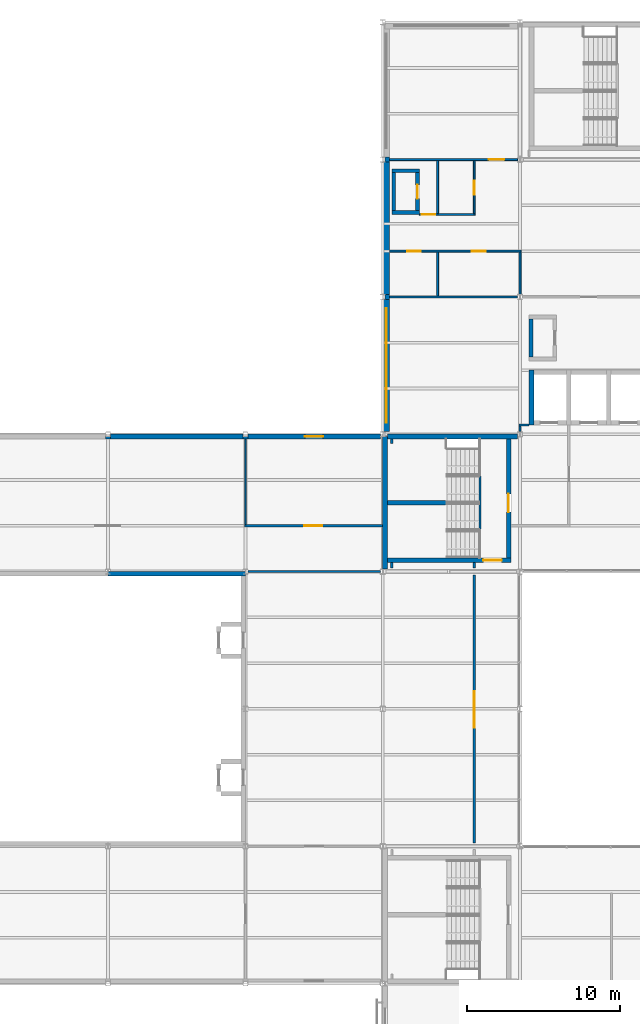
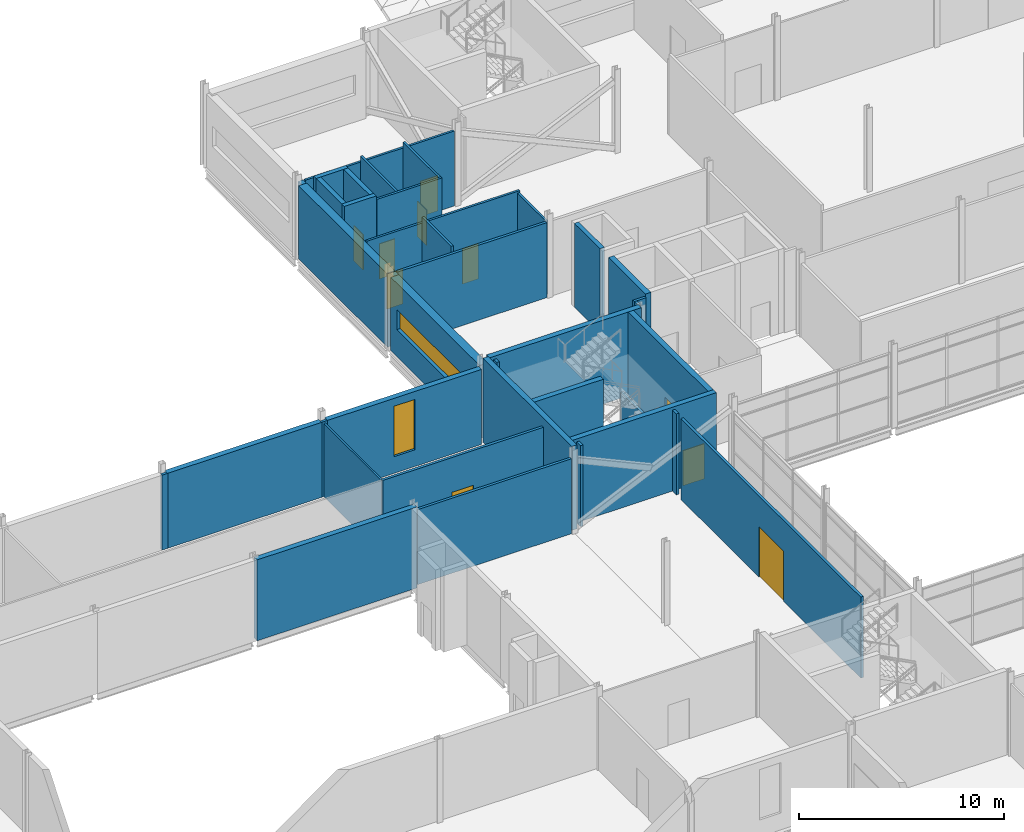
# One storey, part 83 of 112: 38 walls, 10 doors, 2 windows, 12 openings.
"""IFC4 building model written with IfcOpenShell, lengths in metres."""

import ifcopenshell
import ifcopenshell.guid

model = None  # the IFC model being written
_history = None  # IfcOwnerHistory: only IFC2X3 demands one
_inside = {}  # id of a spatial element -> (the spatial element, [elements in it])
_under = {}  # id of a project, library or spatial element -> (it, [spatial elements below it])
_declared = {}  # id of a project -> (the project, [libraries it declares])
_typed = {}  # id of a type object -> (the type object, [elements of that type])
_made_of = {}  # id of a material, layer set ... -> (it, [elements and type objects made of it])


def new_model(schema):
    """Start an empty IFC model of exactly this schema.

    Asked for "IFC4X3", IfcOpenShell would pick the latest addendum, in which some entities
    have other attributes; the version numbers below select the first issue.
    IFC2X3 requires an IfcOwnerHistory on every rooted entity: one is made here for all.
    """
    global model, _history
    if schema == "IFC4X3":
        model = ifcopenshell.file(schema_version=(4, 3, 0, 0))
    else:
        model = ifcopenshell.file(schema=schema)
    _inside.clear()
    _under.clear()
    _declared.clear()
    _typed.clear()
    _made_of.clear()
    _history = None
    if model.schema == "IFC2X3":
        org = make("IfcOrganization", Name="unknown")
        user = make(
            "IfcPersonAndOrganization",
            ThePerson=make("IfcPerson", FamilyName="unknown"),
            TheOrganization=org,
        )
        app = make(
            "IfcApplication",
            ApplicationDeveloper=org,
            Version="unknown",
            ApplicationFullName="unknown",
            ApplicationIdentifier="unknown",
        )
        _history = make(
            "IfcOwnerHistory",
            OwningUser=user,
            OwningApplication=app,
            ChangeAction="ADDED",
            CreationDate=0,
        )
    return model


def make(cls, **values):
    """One entity of the class cls with the attributes given. An attribute that is None is left unset."""
    return model.create_entity(
        cls, **{name: value for name, value in values.items() if value is not None}
    )


def rooted(cls, **values):
    """An entity with a GlobalId (a new one), such as an element, a storey or a relation."""
    return make(cls, GlobalId=ifcopenshell.guid.new(), OwnerHistory=_history, **values)


def si_unit(unit_type, name, prefix=None):
    """IfcSIUnit, for example si_unit("LENGTHUNIT", "METRE", prefix="MILLI")."""
    return make("IfcSIUnit", UnitType=unit_type, Prefix=prefix, Name=name)


def assignment(units):
    """IfcUnitAssignment: the units of a project."""
    return None if units is None else make("IfcUnitAssignment", Units=units)


def point(xyz):
    """IfcCartesianPoint."""
    return None if xyz is None else make("IfcCartesianPoint", Coordinates=xyz)


def direction(xyz):
    """IfcDirection."""
    return None if xyz is None else make("IfcDirection", DirectionRatios=xyz)


def frame(location, z_axis=None, x_axis=None):
    """IfcAxis2Placement3D, a coordinate frame: its origin and axes. An axis left out is left unset."""
    return make(
        "IfcAxis2Placement3D",
        Location=point(location),
        Axis=direction(z_axis),
        RefDirection=direction(x_axis),
    )


def frame_2d(location, x_axis=None):
    """IfcAxis2Placement2D, a coordinate frame in the plane: its origin and x axis."""
    return make(
        "IfcAxis2Placement2D", Location=point(location), RefDirection=direction(x_axis)
    )


def origin():
    """The frame at (0, 0, 0) with its axes left unset."""
    return frame((0.0, 0.0, 0.0))


def place(relative_to, where):
    """IfcLocalPlacement: puts the frame where relative to a parent placement (None: the world)."""
    return make(
        "IfcLocalPlacement", PlacementRelTo=relative_to, RelativePlacement=where
    )


def context(
    kind, dimensions, precision=None, world=None, true_north=None, identifier=None
):
    """IfcGeometricRepresentationContext, for example the 3D "Model" context."""
    return make(
        "IfcGeometricRepresentationContext",
        ContextIdentifier=identifier,
        ContextType=kind,
        CoordinateSpaceDimension=dimensions,
        Precision=precision,
        WorldCoordinateSystem=world,
        TrueNorth=true_north,
    )


def subcontext(parent, identifier, kind, view, scale=None):
    """IfcGeometricRepresentationSubContext, for example "Body" below "Model"."""
    return make(
        "IfcGeometricRepresentationSubContext",
        ContextIdentifier=identifier,
        ContextType=kind,
        ParentContext=parent,
        TargetScale=scale,
        TargetView=view,
    )


def project(units=None, contexts=None):
    """IfcProject with its units and contexts."""
    return rooted(
        "IfcProject",
        Name="project",
        RepresentationContexts=contexts,
        UnitsInContext=assignment(units),
    )


def spatial(cls, under=None, at=None, **own):
    """A site, building, storey or space (cls), placed at a placement, below another one or the project."""
    s = rooted(cls, ObjectPlacement=at, **own)
    if under is not None:
        _under.setdefault(under.id(), (under, []))[1].append(s)
    return s


def profile(cls, at=None, kind="AREA", **sizes):
    """A parametric profile (cls). Its sizes go by their IFC names, for example OverallWidth=200.0."""
    return make(cls, ProfileType=kind, Position=at, **sizes)


def rectangle(**sizes):
    """IfcRectangleProfileDef."""
    return profile("IfcRectangleProfileDef", **sizes)


def extrude(swept, where, along, depth):
    """IfcExtrudedAreaSolid: the profile swept, set in the frame where, extruded along a direction by depth."""
    return make(
        "IfcExtrudedAreaSolid",
        SweptArea=swept,
        Position=where,
        ExtrudedDirection=direction(along),
        Depth=depth,
    )


def shape(context_of_items, identifier, shape_type, items):
    """IfcShapeRepresentation: the items that make up one representation, for example the "Body"."""
    return make(
        "IfcShapeRepresentation",
        ContextOfItems=context_of_items,
        RepresentationIdentifier=identifier,
        RepresentationType=shape_type,
        Items=items,
    )


def material(Name=None, Category=None):
    """IfcMaterial."""
    return make("IfcMaterial", Name=Name, Category=Category)


def layer(
    of_material, thickness, ventilated=None, Name=None, Category=None, Priority=None
):
    """IfcMaterialLayer: one layer of a wall or slab, of a material (None: an air gap)."""
    return make(
        "IfcMaterialLayer",
        Material=of_material,
        LayerThickness=thickness,
        IsVentilated=ventilated,
        Name=Name,
        Category=Category,
        Priority=Priority,
    )


def layer_set(layers, Name=None):
    """IfcMaterialLayerSet."""
    return make("IfcMaterialLayerSet", MaterialLayers=layers, LayerSetName=Name)


def made_of(thing, what):
    """Note that an element or type object is made of a material, layer set ...; save() writes the relation."""
    if what is not None:
        _made_of.setdefault(what.id(), (what, []))[1].append(thing)
    return thing


def type_object(cls, material=None, **own):
    """A type object (cls), such as IfcWallType, which elements share."""
    return made_of(rooted(cls, **own), material)


def element(
    cls,
    number,
    at=None,
    inside=None,
    cuts=None,
    type_object=None,
    material=None,
    context=None,
    identifier="Body",
    shape_type=None,
    held_by="IfcProductDefinitionShape",
    body=None,
    shapes=None,
    **own,
):
    """One element of the class cls, such as IfcWall. Its Tag is "e" and its number.

    at: its placement. inside: the storey or other place that contains it. cuts: it is an
    opening in that element (IfcRelVoidsElement). A single representation is given by context,
    identifier, shape_type and body (its items); several are given by shapes. held_by: the class
    of the entity that holds the representations. save() writes the other relations.
    """
    e = rooted(cls, Tag="e%d" % number, ObjectPlacement=at, **own)
    if body is not None:
        shapes = [shape(context, identifier, shape_type, body)]
    if shapes is not None:
        e.Representation = make(held_by, Representations=shapes)
    if inside is not None:
        _inside.setdefault(inside.id(), (inside, []))[1].append(e)
    if cuts is not None:
        rooted(
            "IfcRelVoidsElement", RelatingBuildingElement=cuts, RelatedOpeningElement=e
        )
    if type_object is not None:
        _typed.setdefault(type_object.id(), (type_object, []))[1].append(e)
    return made_of(e, material)


def fill(opening, filler):
    """IfcRelFillsElement: the door or window that sits in an opening."""
    return rooted(
        "IfcRelFillsElement",
        RelatingOpeningElement=opening,
        RelatedBuildingElement=filler,
    )


def aggregate(whole, parts):
    """IfcRelAggregates: a whole, such as a stair, and the parts it consists of."""
    return rooted("IfcRelAggregates", RelatingObject=whole, RelatedObjects=parts)


def save(model, path):
    """Write the relations noted so far, then the file.

    IfcRelAggregates (storeys below a building ...), IfcRelContainedInSpatialStructure (elements
    in a storey), IfcRelDefinesByType, IfcRelAssociatesMaterial and IfcRelDeclares: one each for
    every whole, place, type object, material and project.
    """
    for whole, parts in _under.values():
        aggregate(whole, parts)
    for where, things in _inside.values():
        rooted(
            "IfcRelContainedInSpatialStructure",
            RelatedElements=things,
            RelatingStructure=where,
        )
    for kind, things in _typed.values():
        rooted("IfcRelDefinesByType", RelatedObjects=things, RelatingType=kind)
    for what, things in _made_of.values():
        rooted("IfcRelAssociatesMaterial", RelatedObjects=things, RelatingMaterial=what)
    for by, libraries in _declared.values():
        rooted("IfcRelDeclares", RelatingContext=by, RelatedDefinitions=libraries)
    model.write(path)


model = new_model("IFC4")

# Units and contexts
model_context = context("Model", 3, precision=1e-05, world=origin(), true_north=direction((0.0, 1.0)))
body_context = subcontext(model_context, "Body", "Model", "MODEL_VIEW")
ifc_project = project(units=[si_unit("LENGTHUNIT", "METRE"), si_unit("AREAUNIT", "SQUARE_METRE"), si_unit("VOLUMEUNIT", "CUBIC_METRE"), si_unit("PLANEANGLEUNIT", "RADIAN"), si_unit("MASSUNIT", "GRAM", prefix="KILO")], contexts=[model_context])

# Site, building, storey
site_placement = place(None, origin())
site = spatial("IfcSite", under=ifc_project, at=site_placement, CompositionType="ELEMENT")
building_placement = place(site_placement, origin())
building = spatial("IfcBuilding", under=site, at=building_placement, Name="Shorebreak Coast Museum", CompositionType="ELEMENT")
storey_placement = place(building_placement, frame((0.0, 0.0, 6.0)))
storey = spatial("IfcBuildingStorey", under=building, at=storey_placement, Name="L01", CompositionType="ELEMENT", Elevation=6.0)

# Walls
ifc_material_1 = material(Name="Concrete N50 (50 MPa)", Category="concrete")
ifc_layer_1 = layer(ifc_material_1, 0.14990234375)
ifc_layer_set_1 = layer_set([ifc_layer_1], Name="Concrete N50 (50 MPa)")
wall_type_1 = type_object("IfcWallType", Name="Column closure panel 150", PredefinedType="SOLIDWALL", material=ifc_layer_set_1)
for number, where, z_axis, x_axis, name in (
    (1, (35.839111328125, 89.77490234375, 0.0), (0.0, 0.0, 1.0), (1.0, 0.0, 0.0), "Column closure panel L01 N 5L"),
    (2, (44.839111328125, 89.77490234375, 0.0), (0.0, 0.0, 1.0), (1.0, 0.0, 0.0), "Column closure panel L01 N 6L"),
):
    element("IfcWall", number, at=place(storey_placement, frame(where, z_axis=z_axis, x_axis=x_axis)), inside=storey, type_object=wall_type_1, Name=name, PredefinedType="SOLIDWALL", context=body_context, shape_type="SweptSolid", body=[
        extrude(rectangle(XDim=0.32177734375, YDim=0.14990234375, at=frame_2d((0.160888671875, 0.0))), origin(), (0.0, 0.0, 1.0), 4.469482421875),
    ])
ifc_material_2 = material(Name="Concrete N50 (50 MPa)", Category="concrete")
ifc_layer_2 = layer(ifc_material_2, 0.29541015625)
ifc_layer_set_2 = layer_set([ifc_layer_2], Name="Concrete N50 (50 MPa)")
wall_type_2 = type_object("IfcWallType", Name="Column closure panel 296", PredefinedType="SOLIDWALL", material=ifc_layer_set_2)
for number, where, z_axis, x_axis, name in (
    (3, (54.30224609375, 98.839111328125, 0.0), (0.0, 0.0, 1.0), (0.0, 1.0, 0.0), "Column closure panel L01 W 7M"),
    (4, (54.30224609375, 107.839111328125, 0.0), (0.0, 0.0, 1.0), (0.0, 1.0, 0.0), "Column closure panel L01 W 7N"),
):
    element("IfcWall", number, at=place(storey_placement, frame(where, z_axis=z_axis, x_axis=x_axis)), inside=storey, type_object=wall_type_2, Name=name, PredefinedType="SOLIDWALL", context=body_context, shape_type="SweptSolid", body=[
        extrude(rectangle(XDim=0.32177734375, YDim=0.29541015625, at=frame_2d((0.160888671875, 0.0))), origin(), (0.0, 0.0, 1.0), 4.364501953125),
    ])

# Wall, opening, window
ifc_material_3 = material(Name="Concrete N50 (50 MPa)", Category="concrete")
ifc_layer_3 = layer(ifc_material_3, 0.449951171875)
ifc_layer_set_3 = layer_set([ifc_layer_3], Name="Concrete N50 (50 MPa)")
wall_type_3 = type_object("IfcWallType", Name="Deep-set precast panel 450", PredefinedType="SOLIDWALL", material=ifc_layer_set_3)
wall_1_placement = place(storey_placement, frame((54.22509765625, 90.16357421875, 0.0), z_axis=(0.0, 0.0, 1.0), x_axis=(0.0, 1.0, 0.0)))
wall_1 = element("IfcWall", 5, at=wall_1_placement, inside=storey, type_object=wall_type_3, Name="External wall L01 W 7L", PredefinedType="SOLIDWALL", context=body_context, shape_type="SweptSolid", body=[
    extrude(rectangle(XDim=8.675537109375, YDim=0.449951171875, at=frame_2d((4.337890625, 0.0))), origin(), (0.0, 0.0, 1.0), 4.364501953125),
])
opening_1_placement = place(wall_1_placement, frame((0.58642578125, 0.0, 1.60009765625)))
opening_1 = element("IfcOpeningElement", 6, at=opening_1_placement, cuts=wall_1, Name="Opening WN1054", PredefinedType="OPENING", context=body_context, shape_type="SweptSolid", body=[
    extrude(rectangle(XDim=7.5, YDim=1.199951171875, at=frame_2d((3.75, 0.60009765625))), frame((0.0, 0.23486328125, 0.0), z_axis=(0.0, -1.0, 0.0), x_axis=(1.0, 0.0, 0.0)), (0.0, 0.0, 1.0), 0.469970703125),
])
ifc_material_4 = material(Name="Aluminium", Category="aluminium")
window_type_1 = type_object("IfcWindowType", Name="Ribbon window 7500 x 1200", PartitioningType="SINGLE_PANEL", PredefinedType="WINDOW", material=ifc_material_4)
window_1_placement = place(opening_1_placement, origin())
window_1 = element("IfcWindow", 7, at=window_1_placement, inside=storey, type_object=window_type_1, Name="Window WN1054", OverallHeight=1.199951171875, OverallWidth=7.5, PartitioningType="SINGLE_PANEL", PredefinedType="WINDOW", context=body_context, shape_type="SweptSolid", body=[
    extrude(rectangle(XDim=7.5, YDim=1.199951171875, at=frame_2d((3.75, 0.60009765625))), frame((0.0, 0.030029296875, 0.0), z_axis=(0.0, -1.0, 0.0), x_axis=(1.0, 0.0, 0.0)), (0.0, 0.0, 1.0), 0.06005859375),
])
fill(opening_1, window_1)

# Walls
wall_2_placement = place(storey_placement, frame((54.22509765625, 99.160888671875, 0.0), z_axis=(0.0, 0.0, 1.0), x_axis=(0.0, 1.0, 0.0)))
element("IfcWall", 8, at=wall_2_placement, inside=storey, type_object=wall_type_3, Name="External wall L01 W 7M", PredefinedType="SOLIDWALL", context=body_context, shape_type="SweptSolid", body=[
    extrude(rectangle(XDim=8.67822265625, YDim=0.449951171875, at=frame_2d((4.339111328125, 0.0))), origin(), (0.0, 0.0, 1.0), 4.364501953125),
])
ifc_material_5 = material(Name="Plasterboard on steel stud", Category="steel")
ifc_layer_4 = layer(ifc_material_5, 0.14990234375)
ifc_layer_set_4 = layer_set([ifc_layer_4], Name="Plasterboard on steel stud")
wall_type_4 = type_object("IfcWallType", Name="Fire partition 150", PredefinedType="PARTITIONING", material=ifc_layer_set_4)
wall_3_placement = place(storey_placement, frame((45.155517578125, 81.0, 0.0), z_axis=(0.0, 0.0, 1.0), x_axis=(1.0, 0.0, 0.0)))
element("IfcWall", 9, at=wall_3_placement, inside=storey, type_object=wall_type_4, Name="Partition L01-051", PredefinedType="PARTITIONING", context=body_context, shape_type="SweptSolid", body=[
    extrude(rectangle(XDim=8.68994140625, YDim=0.14990234375, at=frame_2d((4.344970703125, 0.0))), origin(), (0.0, 0.0, 1.0), 4.469482421875),
])

# Wall, opening, door
wall_4_placement = place(storey_placement, frame((44.949951171875, 84.0, 0.0), z_axis=(0.0, 0.0, 1.0), x_axis=(1.0, 0.0, 0.0)))
wall_4 = element("IfcWall", 10, at=wall_4_placement, inside=storey, type_object=wall_type_4, Name="Partition L01-058", PredefinedType="PARTITIONING", context=body_context, shape_type="SweptSolid", body=[
    extrude(rectangle(XDim=9.050048828125, YDim=0.14990234375, at=frame_2d((4.52490234375, 0.0))), origin(), (0.0, 0.0, 1.0), 4.469482421875),
])
opening_2_placement = place(wall_4_placement, frame((3.89990234375, 0.0, 0.0)))
opening_2 = element("IfcOpeningElement", 11, at=opening_2_placement, cuts=wall_4, Name="Opening D1052", PredefinedType="OPENING", context=body_context, shape_type="SweptSolid", body=[
    extrude(rectangle(XDim=1.199951171875, YDim=2.39990234375, at=frame_2d((0.60009765625, 1.199951171875))), frame((0.0, 0.0849609375, 0.0), z_axis=(0.0, -1.0, 0.0), x_axis=(1.0, 0.0, 0.0)), (0.0, 0.0, 1.0), 0.169921875),
])
ifc_material_6 = material(Name="Steel", Category="steel")
door_type_1 = type_object("IfcDoorType", Name="Fire door 1200x2400 60", OperationType="SINGLE_SWING_LEFT", PredefinedType="DOOR", material=ifc_material_6)
door_1_placement = place(opening_2_placement, origin())
door_1 = element("IfcDoor", 12, at=door_1_placement, inside=storey, type_object=door_type_1, Name="Door D1052 Photography Gallery 1.02", OperationType="SINGLE_SWING_RIGHT", OverallHeight=2.39990234375, OverallWidth=1.199951171875, PredefinedType="DOOR", context=body_context, shape_type="SweptSolid", body=[
    extrude(rectangle(XDim=1.199951171875, YDim=2.39990234375, at=frame_2d((0.60009765625, 1.199951171875))), frame((0.0, 0.02490234375, 0.0), z_axis=(0.0, -1.0, 0.0), x_axis=(1.0, 0.0, 0.0)), (0.0, 0.0, 1.0), 0.050048828125),
])
fill(opening_2, door_1)

# Walls
wall_5_placement = place(storey_placement, frame((62.925048828125, 90.60009765625, 0.0), z_axis=(0.0, 0.0, 1.0), x_axis=(1.0, 0.0, 0.0)))
element("IfcWall", 13, at=wall_5_placement, inside=storey, type_object=wall_type_4, Name="Partition L01-065", PredefinedType="PARTITIONING", context=body_context, shape_type="SweptSolid", body=[
    extrude(rectangle(XDim=0.675048828125, YDim=0.14990234375, at=frame_2d((0.33740234375, 0.0))), origin(), (0.0, 0.0, 1.0), 4.824951171875),
])
wall_6_placement = place(storey_placement, frame((54.449951171875, 99.0, 0.0), z_axis=(0.0, 0.0, 1.0), x_axis=(1.0, 0.0, 0.0)))
element("IfcWall", 14, at=wall_6_placement, inside=storey, type_object=wall_type_4, Name="Partition L01-070", PredefinedType="PARTITIONING", context=body_context, shape_type="SweptSolid", body=[
    extrude(rectangle(XDim=8.3955078125, YDim=0.14990234375, at=frame_2d((4.19775390625, 0.0))), origin(), (0.0, 0.0, 1.0), 4.46630859375),
])
wall_7_placement = place(storey_placement, frame((54.60009765625, 81.219970703125, 0.0), z_axis=(0.0, 0.0, 1.0), x_axis=(0.0, 1.0, 0.0)))
element("IfcWall", 15, at=wall_7_placement, inside=storey, type_object=wall_type_4, Name="Partition L01-103", PredefinedType="PARTITIONING", context=body_context, shape_type="SweptSolid", body=[
    extrude(rectangle(XDim=0.380126953125, YDim=0.14990234375, at=frame_2d((0.18994140625, 0.0))), origin(), (0.0, 0.0, 1.0), 4.824951171875),
])
wall_8_placement = place(storey_placement, frame((54.60009765625, 89.39990234375, 0.0), z_axis=(0.0, 0.0, 1.0), x_axis=(0.0, 1.0, 0.0)))
element("IfcWall", 16, at=wall_8_placement, inside=storey, type_object=wall_type_4, Name="Partition L01-104", PredefinedType="PARTITIONING", context=body_context, shape_type="SweptSolid", body=[
    extrude(rectangle(XDim=0.300048828125, YDim=0.14990234375, at=frame_2d((0.14990234375, 0.0))), origin(), (0.0, 0.0, 1.0), 4.824951171875),
])

# Wall, opening, door
wall_9_placement = place(storey_placement, frame((60.0, 63.219970703125, 0.0), z_axis=(0.0, 0.0, 1.0), x_axis=(0.0, 1.0, 0.0)))
wall_9 = element("IfcWall", 17, at=wall_9_placement, inside=storey, type_object=wall_type_4, Name="Partition L01-108", PredefinedType="PARTITIONING", context=body_context, shape_type="SweptSolid", body=[
    extrude(rectangle(XDim=17.56005859375, YDim=0.14990234375, at=frame_2d((8.780029296875, 0.0))), origin(), (0.0, 0.0, 1.0), 4.824951171875),
])
opening_3_placement = place(wall_9_placement, frame((7.550048828125, 0.0, 0.0)))
opening_3 = element("IfcOpeningElement", 18, at=opening_3_placement, cuts=wall_9, Name="Opening D1049", PredefinedType="OPENING", context=body_context, shape_type="SweptSolid", body=[
    extrude(rectangle(XDim=2.39990234375, YDim=3.0, at=frame_2d((1.199951171875, 1.5))), frame((0.0, 0.0849609375, 0.0), z_axis=(0.0, -1.0, 0.0), x_axis=(1.0, 0.0, 0.0)), (0.0, 0.0, 1.0), 0.169921875),
])
ifc_material_7 = material(Name="Steel", Category="steel")
door_type_2 = type_object("IfcDoorType", Name="Fire door 2400x3000 60", OperationType="DOUBLE_DOOR_SINGLE_SWING", PredefinedType="DOOR", material=ifc_material_7)
door_2_placement = place(opening_3_placement, origin())
door_2 = element("IfcDoor", 19, at=door_2_placement, inside=storey, type_object=door_type_2, Name="Door D1049 Permanent Gallery 1.02", OperationType="DOUBLE_DOOR_SINGLE_SWING", OverallHeight=3.0, OverallWidth=2.39990234375, PredefinedType="DOOR", context=body_context, shape_type="SweptSolid", body=[
    extrude(rectangle(XDim=2.39990234375, YDim=3.0, at=frame_2d((1.199951171875, 1.5))), frame((0.0, 0.02490234375, 0.0), z_axis=(0.0, -1.0, 0.0), x_axis=(1.0, 0.0, 0.0)), (0.0, 0.0, 1.0), 0.050048828125),
])
fill(opening_3, door_2)

# Walls
wall_10_placement = place(storey_placement, frame((60.0, 81.219970703125, 0.0), z_axis=(0.0, 0.0, 1.0), x_axis=(0.0, 1.0, 0.0)))
element("IfcWall", 20, at=wall_10_placement, inside=storey, type_object=wall_type_4, Name="Partition L01-109", PredefinedType="PARTITIONING", context=body_context, shape_type="SweptSolid", body=[
    extrude(rectangle(XDim=0.380126953125, YDim=0.14990234375, at=frame_2d((0.18994140625, 0.0))), origin(), (0.0, 0.0, 1.0), 4.824951171875),
])
wall_11_placement = place(storey_placement, frame((63.0, 90.16357421875, 0.0), z_axis=(0.0, 0.0, 1.0), x_axis=(0.0, 1.0, 0.0)))
element("IfcWall", 21, at=wall_11_placement, inside=storey, type_object=wall_type_4, Name="Partition L01-116", PredefinedType="PARTITIONING", context=body_context, shape_type="SweptSolid", body=[
    extrude(rectangle(XDim=0.361328125, YDim=0.14990234375, at=frame_2d((0.1806640625, 0.0))), origin(), (0.0, 0.0, 1.0), 4.824951171875),
])
ifc_material_8 = material(Name="Plasterboard on steel stud", Category="steel")
ifc_layer_5 = layer(ifc_material_8, 0.10009765625)
ifc_layer_set_5 = layer_set([ifc_layer_5], Name="Plasterboard on steel stud")
wall_type_5 = type_object("IfcWallType", Name="Partition 100", PredefinedType="PARTITIONING", material=ifc_layer_set_5)
wall_12_placement = place(storey_placement, frame((45.0, 84.074951171875, 0.0), z_axis=(0.0, 0.0, 1.0), x_axis=(0.0, 1.0, 0.0)))
element("IfcWall", 22, at=wall_12_placement, inside=storey, type_object=wall_type_5, Name="Partition L01-097", PredefinedType="PARTITIONING", context=body_context, shape_type="SweptSolid", body=[
    extrude(rectangle(XDim=5.625, YDim=0.10009765625, at=frame_2d((2.8125, 0.0))), origin(), (0.0, 0.0, 1.0), 4.364501953125),
])

# Wall, openings, doors
ifc_material_9 = material(Name="Plasterboard on steel stud", Category="steel")
ifc_layer_6 = layer(ifc_material_9, 0.125)
ifc_layer_set_6 = layer_set([ifc_layer_6], Name="Plasterboard on steel stud")
wall_type_6 = type_object("IfcWallType", Name="Partition 125", PredefinedType="PARTITIONING", material=ifc_layer_set_6)
wall_13_placement = place(storey_placement, frame((54.449951171875, 102.0, 0.0), z_axis=(0.0, 0.0, 1.0), x_axis=(1.0, 0.0, 0.0)))
wall_13 = element("IfcWall", 23, at=wall_13_placement, inside=storey, type_object=wall_type_6, Name="Partition L01-074", PredefinedType="PARTITIONING", context=body_context, shape_type="SweptSolid", body=[
    extrude(rectangle(XDim=8.612548828125, YDim=0.125, at=frame_2d((4.30615234375, 0.0))), origin(), (0.0, 0.0, 1.0), 4.472900390625),
])
opening_4_placement = place(wall_13_placement, frame((1.14990234375, 0.0, 0.0)))
opening_4 = element("IfcOpeningElement", 24, at=opening_4_placement, cuts=wall_13, Name="Opening D1009", PredefinedType="OPENING", context=body_context, shape_type="SweptSolid", body=[
    extrude(rectangle(XDim=0.89990234375, YDim=2.10009765625, at=frame_2d((0.449951171875, 1.050048828125))), frame((0.0, 0.072509765625, 0.0), z_axis=(0.0, -1.0, 0.0), x_axis=(1.0, 0.0, 0.0)), (0.0, 0.0, 1.0), 0.14501953125),
])
opening_5_placement = place(wall_13_placement, frame((5.39990234375, 0.0, 0.0)))
opening_5 = element("IfcOpeningElement", 25, at=opening_5_placement, cuts=wall_13, Name="Opening D1010", PredefinedType="OPENING", context=body_context, shape_type="SweptSolid", body=[
    extrude(rectangle(XDim=0.89990234375, YDim=2.10009765625, at=frame_2d((0.449951171875, 1.050048828125))), frame((0.0, 0.072509765625, 0.0), z_axis=(0.0, -1.0, 0.0), x_axis=(1.0, 0.0, 0.0)), (0.0, 0.0, 1.0), 0.14501953125),
])
ifc_material_10 = material(Name="Timber", Category="wood")
door_type_3 = type_object("IfcDoorType", Name="Interior door 900x2100", OperationType="SINGLE_SWING_LEFT", PredefinedType="DOOR", material=ifc_material_10)
door_3_placement = place(opening_4_placement, origin())
door_3 = element("IfcDoor", 26, at=door_3_placement, inside=storey, type_object=door_type_3, Name="Door D1009 Accessible WC N1", OperationType="SINGLE_SWING_RIGHT", OverallHeight=2.10009765625, OverallWidth=0.89990234375, PredefinedType="DOOR", context=body_context, shape_type="SweptSolid", body=[
    extrude(rectangle(XDim=0.89990234375, YDim=2.10009765625, at=frame_2d((0.449951171875, 1.050048828125))), frame((0.0, 0.02490234375, 0.0), z_axis=(0.0, -1.0, 0.0), x_axis=(1.0, 0.0, 0.0)), (0.0, 0.0, 1.0), 0.050048828125),
])
fill(opening_4, door_3)
door_4_placement = place(opening_5_placement, origin())
door_4 = element("IfcDoor", 27, at=door_4_placement, inside=storey, type_object=door_type_3, Name="Door D1010 Male WC N1", OperationType="SINGLE_SWING_RIGHT", OverallHeight=2.10009765625, OverallWidth=0.89990234375, PredefinedType="DOOR", context=body_context, shape_type="SweptSolid", body=[
    extrude(rectangle(XDim=0.89990234375, YDim=2.10009765625, at=frame_2d((0.449951171875, 1.050048828125))), frame((0.0, 0.02490234375, 0.0), z_axis=(0.0, -1.0, 0.0), x_axis=(1.0, 0.0, 0.0)), (0.0, 0.0, 1.0), 0.050048828125),
])
fill(opening_5, door_4)

# Wall, opening, door
wall_14_placement = place(storey_placement, frame((56.39990234375, 104.39990234375, 0.0), z_axis=(0.0, 0.0, 1.0), x_axis=(1.0, 0.0, 0.0)))
wall_14 = element("IfcWall", 28, at=wall_14_placement, inside=storey, type_object=wall_type_6, Name="Partition L01-076", PredefinedType="PARTITIONING", context=body_context, shape_type="SweptSolid", body=[
    extrude(rectangle(XDim=3.66259765625, YDim=0.125, at=frame_2d((1.831298828125, 0.0))), origin(), (0.0, 0.0, 1.0), 4.824951171875),
])
opening_6_placement = place(wall_14_placement, frame((0.14990234375, 0.0, 0.0)))
opening_6 = element("IfcOpeningElement", 29, at=opening_6_placement, cuts=wall_14, Name="Opening D1007", PredefinedType="OPENING", context=body_context, shape_type="SweptSolid", body=[
    extrude(rectangle(XDim=0.89990234375, YDim=2.10009765625, at=frame_2d((0.449951171875, 1.050048828125))), frame((0.0, 0.072509765625, 0.0), z_axis=(0.0, -1.0, 0.0), x_axis=(1.0, 0.0, 0.0)), (0.0, 0.0, 1.0), 0.14501953125),
])
door_5_placement = place(opening_6_placement, origin())
door_5 = element("IfcDoor", 30, at=door_5_placement, inside=storey, type_object=door_type_3, Name="Door D1007 Cleaner Store N1", OperationType="SINGLE_SWING_LEFT", OverallHeight=2.10009765625, OverallWidth=0.89990234375, PredefinedType="DOOR", context=body_context, shape_type="SweptSolid", body=[
    extrude(rectangle(XDim=0.89990234375, YDim=2.10009765625, at=frame_2d((0.449951171875, 1.050048828125))), frame((0.0, 0.02490234375, 0.0), z_axis=(0.0, -1.0, 0.0), x_axis=(1.0, 0.0, 0.0)), (0.0, 0.0, 1.0), 0.050048828125),
])
fill(opening_6, door_5)

wall_15_placement = place(storey_placement, frame((54.449951171875, 108.0, 0.0), z_axis=(0.0, 0.0, 1.0), x_axis=(1.0, 0.0, 0.0)))
wall_15 = element("IfcWall", 31, at=wall_15_placement, inside=storey, type_object=wall_type_6, Name="Partition L01-078", PredefinedType="PARTITIONING", context=body_context, shape_type="SweptSolid", body=[
    extrude(rectangle(XDim=8.3955078125, YDim=0.125, at=frame_2d((4.19775390625, 0.0))), origin(), (0.0, 0.0, 1.0), 4.46630859375),
])
opening_7_placement = place(wall_15_placement, frame((6.5, 0.0, 0.0)))
opening_7 = element("IfcOpeningElement", 32, at=opening_7_placement, cuts=wall_15, Name="Opening D1015", PredefinedType="OPENING", context=body_context, shape_type="SweptSolid", body=[
    extrude(rectangle(XDim=1.0, YDim=2.10009765625, at=frame_2d((0.5, 1.050048828125))), frame((0.0, 0.072509765625, 0.0), z_axis=(0.0, -1.0, 0.0), x_axis=(1.0, 0.0, 0.0)), (0.0, 0.0, 1.0), 0.14501953125),
])
ifc_material_11 = material(Name="Timber", Category="wood")
door_type_4 = type_object("IfcDoorType", Name="Interior door 1000x2100", OperationType="SINGLE_SWING_LEFT", PredefinedType="DOOR", material=ifc_material_11)
door_6_placement = place(opening_7_placement, origin())
door_6 = element("IfcDoor", 33, at=door_6_placement, inside=storey, type_object=door_type_4, Name="Door D1015 Services Store 1.01", OperationType="SINGLE_SWING_LEFT", OverallHeight=2.10009765625, OverallWidth=1.0, PredefinedType="DOOR", context=body_context, shape_type="SweptSolid", body=[
    extrude(rectangle(XDim=1.0, YDim=2.10009765625, at=frame_2d((0.5, 1.050048828125))), frame((0.0, 0.02490234375, 0.0), z_axis=(0.0, -1.0, 0.0), x_axis=(1.0, 0.0, 0.0)), (0.0, 0.0, 1.0), 0.050048828125),
])
fill(opening_7, door_6)

# Walls
wall_16_placement = place(storey_placement, frame((57.60009765625, 99.074951171875, 0.0), z_axis=(0.0, 0.0, 1.0), x_axis=(0.0, 1.0, 0.0)))
element("IfcWall", 34, at=wall_16_placement, inside=storey, type_object=wall_type_6, Name="Partition L01-105", PredefinedType="PARTITIONING", context=body_context, shape_type="SweptSolid", body=[
    extrude(rectangle(XDim=2.862548828125, YDim=0.125, at=frame_2d((1.43115234375, 0.0))), origin(), (0.0, 0.0, 1.0), 4.824951171875),
])
wall_17_placement = place(storey_placement, frame((57.60009765625, 104.46240234375, 0.0), z_axis=(0.0, 0.0, 1.0), x_axis=(0.0, 1.0, 0.0)))
element("IfcWall", 35, at=wall_17_placement, inside=storey, type_object=wall_type_6, Name="Partition L01-106", PredefinedType="PARTITIONING", context=body_context, shape_type="SweptSolid", body=[
    extrude(rectangle(XDim=3.47509765625, YDim=0.125, at=frame_2d((1.737548828125, 0.0))), origin(), (0.0, 0.0, 1.0), 4.824951171875),
])

# Wall, opening, door
wall_18_placement = place(storey_placement, frame((60.0, 104.46240234375, 0.0), z_axis=(0.0, 0.0, 1.0), x_axis=(0.0, 1.0, 0.0)))
wall_18 = element("IfcWall", 36, at=wall_18_placement, inside=storey, type_object=wall_type_6, Name="Partition L01-110", PredefinedType="PARTITIONING", context=body_context, shape_type="SweptSolid", body=[
    extrude(rectangle(XDim=3.47509765625, YDim=0.125, at=frame_2d((1.737548828125, 0.0))), origin(), (0.0, 0.0, 1.0), 4.824951171875),
])
opening_8_placement = place(wall_18_placement, frame((1.25, 0.0, 0.0)))
opening_8 = element("IfcOpeningElement", 37, at=opening_8_placement, cuts=wall_18, Name="Opening D1008", PredefinedType="OPENING", context=body_context, shape_type="SweptSolid", body=[
    extrude(rectangle(XDim=0.89990234375, YDim=2.10009765625, at=frame_2d((0.449951171875, 1.050048828125))), frame((0.0, 0.072509765625, 0.0), z_axis=(0.0, -1.0, 0.0), x_axis=(1.0, 0.0, 0.0)), (0.0, 0.0, 1.0), 0.14501953125),
])
door_7_placement = place(opening_8_placement, origin())
door_7 = element("IfcDoor", 38, at=door_7_placement, inside=storey, type_object=door_type_3, Name="Door D1008 Female WC N1", OperationType="SINGLE_SWING_RIGHT", OverallHeight=2.10009765625, OverallWidth=0.89990234375, PredefinedType="DOOR", context=body_context, shape_type="SweptSolid", body=[
    extrude(rectangle(XDim=0.89990234375, YDim=2.10009765625, at=frame_2d((0.449951171875, 1.050048828125))), frame((0.0, 0.02490234375, 0.0), z_axis=(0.0, -1.0, 0.0), x_axis=(1.0, 0.0, 0.0)), (0.0, 0.0, 1.0), 0.050048828125),
])
fill(opening_8, door_7)

# Walls
wall_19_placement = place(storey_placement, frame((63.0, 99.160400390625, 0.0), z_axis=(0.0, 0.0, 1.0), x_axis=(0.0, 1.0, 0.0)))
element("IfcWall", 39, at=wall_19_placement, inside=storey, type_object=wall_type_6, Name="Partition L01-117", PredefinedType="PARTITIONING", context=body_context, shape_type="SweptSolid", body=[
    extrude(rectangle(XDim=2.777099609375, YDim=0.125, at=frame_2d((1.388671875, 0.0))), origin(), (0.0, 0.0, 1.0), 4.364501953125),
])
ifc_material_12 = material(Name="Concrete N50 (50 MPa)", Category="concrete")
ifc_layer_7 = layer(ifc_material_12, 0.300048828125)
ifc_layer_set_7 = layer_set([ifc_layer_7], Name="Concrete N50 (50 MPa)")
wall_type_7 = type_object("IfcWallType", Name="Precast board-marked panel 300", PredefinedType="SOLIDWALL", material=ifc_layer_set_7)
wall_20_placement = place(storey_placement, frame((36.160888671875, 89.85009765625, 0.0), z_axis=(0.0, 0.0, 1.0), x_axis=(1.0, 0.0, 0.0)))
element("IfcWall", 40, at=wall_20_placement, inside=storey, type_object=wall_type_7, Name="External wall L01 N 5L", PredefinedType="SOLIDWALL", context=body_context, shape_type="SweptSolid", body=[
    extrude(rectangle(XDim=8.67822265625, YDim=0.300048828125, at=frame_2d((4.339111328125, 0.0))), origin(), (0.0, 0.0, 1.0), 4.469482421875),
])

# Wall, opening, window
wall_21_placement = place(storey_placement, frame((45.160888671875, 89.85009765625, 0.0), z_axis=(0.0, 0.0, 1.0), x_axis=(1.0, 0.0, 0.0)))
wall_21 = element("IfcWall", 41, at=wall_21_placement, inside=storey, type_object=wall_type_7, Name="External wall L01 N 6L", PredefinedType="SOLIDWALL", context=body_context, shape_type="SweptSolid", body=[
    extrude(rectangle(XDim=8.68359375, YDim=0.300048828125, at=frame_2d((4.341796875, 0.0))), origin(), (0.0, 0.0, 1.0), 4.469482421875),
])
opening_9_placement = place(wall_21_placement, frame((3.739013671875, 0.0, 1.0)))
opening_9 = element("IfcOpeningElement", 42, at=opening_9_placement, cuts=wall_21, Name="Opening WN1016", PredefinedType="OPENING", context=body_context, shape_type="SweptSolid", body=[
    extrude(rectangle(XDim=1.199951171875, YDim=3.0, at=frame_2d((0.60009765625, 1.5))), frame((0.0, 0.159912109375, 0.0), z_axis=(0.0, -1.0, 0.0), x_axis=(1.0, 0.0, 0.0)), (0.0, 0.0, 1.0), 0.320068359375),
])
ifc_material_13 = material(Name="Aluminium", Category="aluminium")
window_type_2 = type_object("IfcWindowType", Name="Foyer slot window 1200 x 3000", PartitioningType="SINGLE_PANEL", PredefinedType="WINDOW", material=ifc_material_13)
window_2_placement = place(opening_9_placement, origin())
window_2 = element("IfcWindow", 43, at=window_2_placement, inside=storey, type_object=window_type_2, Name="Window WN1016", OverallHeight=3.0, OverallWidth=1.199951171875, PartitioningType="SINGLE_PANEL", PredefinedType="WINDOW", context=body_context, shape_type="SweptSolid", body=[
    extrude(rectangle(XDim=1.199951171875, YDim=3.0, at=frame_2d((0.60009765625, 1.5))), frame((0.0, 0.030029296875, 0.0), z_axis=(0.0, -1.0, 0.0), x_axis=(1.0, 0.0, 0.0)), (0.0, 0.0, 1.0), 0.06005859375),
])
fill(opening_9, window_2)

# Walls
ifc_material_14 = material(Name="Concrete N50 (50 MPa)", Category="concrete")
ifc_layer_8 = layer(ifc_material_14, 0.25)
ifc_layer_set_8 = layer_set([ifc_layer_8], Name="Concrete N50 (50 MPa)")
wall_type_8 = type_object("IfcWallType", Name="RC riser wall 250", PredefinedType="STANDARD", material=ifc_layer_set_8)
for number, where, z_axis, x_axis, name in (
    (44, (54.60009765625, 104.52490234375, 0.0), (0.0, 0.0, 1.0), (1.0, 0.0, 0.0), "Riser wall R-WC-N1 L01 S"),
    (45, (54.60009765625, 107.27490234375, 0.0), (0.0, 0.0, 1.0), (1.0, 0.0, 0.0), "Riser wall R-WC-N1 L01 N"),
):
    element("IfcWall", number, at=place(storey_placement, frame(where, z_axis=z_axis, x_axis=x_axis)), inside=storey, type_object=wall_type_8, Name=name, PredefinedType="STANDARD", context=body_context, shape_type="SweptSolid", body=[
        extrude(rectangle(XDim=1.7998046875, YDim=0.25, at=frame_2d((0.89990234375, 0.0))), origin(), (0.0, 0.0, 1.0), 5.0),
    ])
wall_22_placement = place(storey_placement, frame((54.72509765625, 104.64990234375, 0.0), z_axis=(0.0, 0.0, 1.0), x_axis=(0.0, 1.0, 0.0)))
element("IfcWall", 46, at=wall_22_placement, inside=storey, type_object=wall_type_8, Name="Riser wall R-WC-N1 L01 W", PredefinedType="STANDARD", context=body_context, shape_type="SweptSolid", body=[
    extrude(rectangle(XDim=2.5, YDim=0.25, at=frame_2d((1.25, 0.0))), origin(), (0.0, 0.0, 1.0), 5.0),
])

# Wall, opening, door
wall_23_placement = place(storey_placement, frame((56.27490234375, 104.64990234375, 0.0), z_axis=(0.0, 0.0, 1.0), x_axis=(0.0, 1.0, 0.0)))
wall_23 = element("IfcWall", 47, at=wall_23_placement, inside=storey, type_object=wall_type_8, Name="Riser wall R-WC-N1 L01 E", PredefinedType="STANDARD", context=body_context, shape_type="SweptSolid", body=[
    extrude(rectangle(XDim=2.5, YDim=0.25, at=frame_2d((1.25, 0.0))), origin(), (0.0, 0.0, 1.0), 5.0),
])
opening_10_placement = place(wall_23_placement, frame((0.800048828125, 0.0, 0.0)))
opening_10 = element("IfcOpeningElement", 48, at=opening_10_placement, cuts=wall_23, Name="Opening D1601", PredefinedType="OPENING", context=body_context, shape_type="SweptSolid", body=[
    extrude(rectangle(XDim=0.89990234375, YDim=2.10009765625, at=frame_2d((0.449951171875, 1.050048828125))), frame((0.0, 0.135009765625, 0.0), z_axis=(0.0, -1.0, 0.0), x_axis=(1.0, 0.0, 0.0)), (0.0, 0.0, 1.0), 0.27001953125),
])
ifc_material_15 = material(Name="Steel Grade 300", Category="steel")
door_type_5 = type_object("IfcDoorType", Name="Riser door 900x2100", OperationType="SINGLE_SWING_LEFT", PredefinedType="DOOR", material=ifc_material_15)
door_8_placement = place(opening_10_placement, origin())
door_8 = element("IfcDoor", 49, at=door_8_placement, inside=storey, type_object=door_type_5, Name="Riser door R-WC-N1 L01", OperationType="SINGLE_SWING_LEFT", OverallHeight=2.10009765625, OverallWidth=0.89990234375, PredefinedType="DOOR", context=body_context, shape_type="SweptSolid", body=[
    extrude(rectangle(XDim=0.89990234375, YDim=2.10009765625, at=frame_2d((0.449951171875, 1.050048828125))), frame((0.0, 0.02490234375, 0.0), z_axis=(0.0, -1.0, 0.0), x_axis=(1.0, 0.0, 0.0)), (0.0, 0.0, 1.0), 0.050048828125),
])
fill(opening_10, door_8)

# Wall
wall_24_placement = place(storey_placement, frame((63.72509765625, 95.050048828125, 0.0), z_axis=(0.0, 0.0, 1.0), x_axis=(0.0, 1.0, 0.0)))
element("IfcWall", 50, at=wall_24_placement, inside=storey, type_object=wall_type_8, Name="Riser wall R-LBW L01 W", PredefinedType="STANDARD", context=body_context, shape_type="SweptSolid", body=[
    extrude(rectangle(XDim=2.5, YDim=0.25, at=frame_2d((1.25, 0.0))), origin(), (0.0, 0.0, 1.0), 5.0),
])

# Wall, opening, door
ifc_material_16 = material(Name="Concrete N50 (50 MPa)", Category="concrete")
ifc_layer_9 = layer(ifc_material_16, 0.300048828125)
ifc_layer_set_9 = layer_set([ifc_layer_9], Name="Concrete N50 (50 MPa)")
wall_type_9 = type_object("IfcWallType", Name="RC wall 300", PredefinedType="SHEAR", material=ifc_layer_set_9)
wall_25_placement = place(storey_placement, frame((54.300048828125, 81.75, 0.0), z_axis=(0.0, 0.0, 1.0), x_axis=(1.0, 0.0, 0.0)))
wall_25 = element("IfcWall", 51, at=wall_25_placement, inside=storey, type_object=wall_type_9, Name="Stair core wall ST03 L01 S", PredefinedType="SHEAR", context=body_context, shape_type="SweptSolid", body=[
    extrude(rectangle(XDim=8.099853515625, YDim=0.300048828125, at=frame_2d((4.0498046875, 0.0))), origin(), (0.0, 0.0, 1.0), 5.0),
])
opening_11_placement = place(wall_25_placement, frame((6.300048828125, 0.0, 0.0)))
opening_11 = element("IfcOpeningElement", 52, at=opening_11_placement, cuts=wall_25, Name="Opening D1703", PredefinedType="OPENING", context=body_context, shape_type="SweptSolid", body=[
    extrude(rectangle(XDim=1.199951171875, YDim=2.10009765625, at=frame_2d((0.60009765625, 1.050048828125))), frame((0.0, 0.159912109375, 0.0), z_axis=(0.0, -1.0, 0.0), x_axis=(1.0, 0.0, 0.0)), (0.0, 0.0, 1.0), 0.320068359375),
])
ifc_material_17 = material(Name="Steel Grade 300", Category="steel")
door_type_6 = type_object("IfcDoorType", Name="Fire door 1200x2100", OperationType="SINGLE_SWING_LEFT", PredefinedType="DOOR", material=ifc_material_17)
door_9_placement = place(opening_11_placement, origin())
door_9 = element("IfcDoor", 53, at=door_9_placement, inside=storey, type_object=door_type_6, Name="Stair door ST03 L01 south", OperationType="SINGLE_SWING_LEFT", OverallHeight=2.10009765625, OverallWidth=1.199951171875, PredefinedType="DOOR", context=body_context, shape_type="SweptSolid", body=[
    extrude(rectangle(XDim=1.199951171875, YDim=2.10009765625, at=frame_2d((0.60009765625, 1.050048828125))), frame((0.0, 0.02490234375, 0.0), z_axis=(0.0, -1.0, 0.0), x_axis=(1.0, 0.0, 0.0)), (0.0, 0.0, 1.0), 0.050048828125),
])
fill(opening_11, door_9)

# Walls
wall_26_placement = place(storey_placement, frame((54.300048828125, 89.85009765625, 0.0), z_axis=(0.0, 0.0, 1.0), x_axis=(1.0, 0.0, 0.0)))
element("IfcWall", 54, at=wall_26_placement, inside=storey, type_object=wall_type_9, Name="Stair core wall ST03 L01 N", PredefinedType="SHEAR", context=body_context, shape_type="SweptSolid", body=[
    extrude(rectangle(XDim=8.54443359375, YDim=0.300048828125, at=frame_2d((4.272216796875, 0.0))), origin(), (0.0, 0.0, 1.0), 5.0),
])
wall_27_placement = place(storey_placement, frame((54.14990234375, 81.160400390625, 0.0), z_axis=(0.0, 0.0, 1.0), x_axis=(0.0, 1.0, 0.0)))
element("IfcWall", 55, at=wall_27_placement, inside=storey, type_object=wall_type_9, Name="Stair core wall ST03 L01 W", PredefinedType="SHEAR", context=body_context, shape_type="SweptSolid", body=[
    extrude(rectangle(XDim=8.676025390625, YDim=0.300048828125, at=frame_2d((4.337890625, 0.0))), origin(), (0.0, 0.0, 1.0), 5.0),
])

# Wall, opening, door
wall_28_placement = place(storey_placement, frame((62.25, 81.89990234375, 0.0), z_axis=(0.0, 0.0, 1.0), x_axis=(0.0, 1.0, 0.0)))
wall_28 = element("IfcWall", 56, at=wall_28_placement, inside=storey, type_object=wall_type_9, Name="Stair core wall ST03 L01 E", PredefinedType="SHEAR", context=body_context, shape_type="SweptSolid", body=[
    extrude(rectangle(XDim=7.800048828125, YDim=0.300048828125, at=frame_2d((3.89990234375, 0.0))), origin(), (0.0, 0.0, 1.0), 5.0),
])
opening_12_placement = place(wall_28_placement, frame((3.0, 0.0, 0.0)))
opening_12 = element("IfcOpeningElement", 57, at=opening_12_placement, cuts=wall_28, Name="Opening D1803", PredefinedType="OPENING", context=body_context, shape_type="SweptSolid", body=[
    extrude(rectangle(XDim=1.199951171875, YDim=2.10009765625, at=frame_2d((0.60009765625, 1.050048828125))), frame((0.0, 0.159912109375, 0.0), z_axis=(0.0, -1.0, 0.0), x_axis=(1.0, 0.0, 0.0)), (0.0, 0.0, 1.0), 0.320068359375),
])
door_10_placement = place(opening_12_placement, origin())
door_10 = element("IfcDoor", 58, at=door_10_placement, inside=storey, type_object=door_type_6, Name="Stair door ST03 L01", OperationType="SINGLE_SWING_RIGHT", OverallHeight=2.10009765625, OverallWidth=1.199951171875, PredefinedType="DOOR", context=body_context, shape_type="SweptSolid", body=[
    extrude(rectangle(XDim=1.199951171875, YDim=2.10009765625, at=frame_2d((0.60009765625, 1.050048828125))), frame((0.0, 0.02490234375, 0.0), z_axis=(0.0, -1.0, 0.0), x_axis=(1.0, 0.0, 0.0)), (0.0, 0.0, 1.0), 0.050048828125),
])
fill(opening_12, door_10)

# Walls
wall_29_placement = place(storey_placement, frame((58.199951171875, 85.5, 0.0), z_axis=(0.0, 0.0, 1.0), x_axis=(-1.0, 0.0, 0.0)))
element("IfcWall", 59, at=wall_29_placement, inside=storey, type_object=wall_type_9, Name="Stair spine wall ST03 L01", PredefinedType="SHEAR", context=body_context, shape_type="SweptSolid", body=[
    extrude(rectangle(XDim=3.89990234375, YDim=0.300048828125, at=frame_2d((1.949951171875, 0.0))), origin(), (0.0, 0.0, 1.0), 5.0),
])
wall_30_placement = place(storey_placement, frame((63.75, 90.60009765625, 0.0), z_axis=(0.0, 0.0, 1.0), x_axis=(0.0, 1.0, 0.0)))
element("IfcWall", 60, at=wall_30_placement, inside=storey, type_object=wall_type_9, Name="Lift shaft wall LBW L01 1", PredefinedType="SHEAR", context=body_context, shape_type="SweptSolid", body=[
    extrude(rectangle(XDim=3.599853515625, YDim=0.300048828125, at=frame_2d((1.7998046875, 0.0))), origin(), (0.0, 0.0, 1.0), 5.0),
])
wall_31_placement = place(storey_placement, frame((36.0, 80.85009765625, 0.0), z_axis=(0.0, 0.0, 1.0), x_axis=(1.0, 0.0, 0.0)))
element("IfcWall", 61, at=wall_31_placement, inside=storey, type_object=wall_type_9, Name="Auditorium wall L01 N3", PredefinedType="SHEAR", context=body_context, shape_type="SweptSolid", body=[
    extrude(rectangle(XDim=9.0, YDim=0.300048828125, at=frame_2d((4.5, 0.0))), origin(), (0.0, 0.0, 1.0), 4.824951171875),
])
ifc_material_18 = material(Name="Concrete N50 (50 MPa)", Category="concrete")
ifc_layer_10 = layer(ifc_material_18, 0.14990234375)
ifc_layer_set_10 = layer_set([ifc_layer_10], Name="Concrete N50 (50 MPa)")
wall_type_10 = type_object("IfcWallType", Name="Understair wall 150", PredefinedType="STANDARD", material=ifc_layer_set_10)
wall_32_placement = place(storey_placement, frame((60.375, 83.699951171875, 0.0), z_axis=(0.0, 0.0, 1.0), x_axis=(0.0, 1.0, 0.0)))
element("IfcWall", 62, at=wall_32_placement, inside=storey, type_object=wall_type_10, Name="Understair wall ST03 L01 floor", PredefinedType="STANDARD", context=body_context, shape_type="SweptSolid", body=[
    extrude(rectangle(XDim=3.60009765625, YDim=0.14990234375, at=frame_2d((1.800048828125, 0.0))), origin(), (0.0, 0.0, 1.0), 2.300048828125),
])

save(model, "model.ifc")
